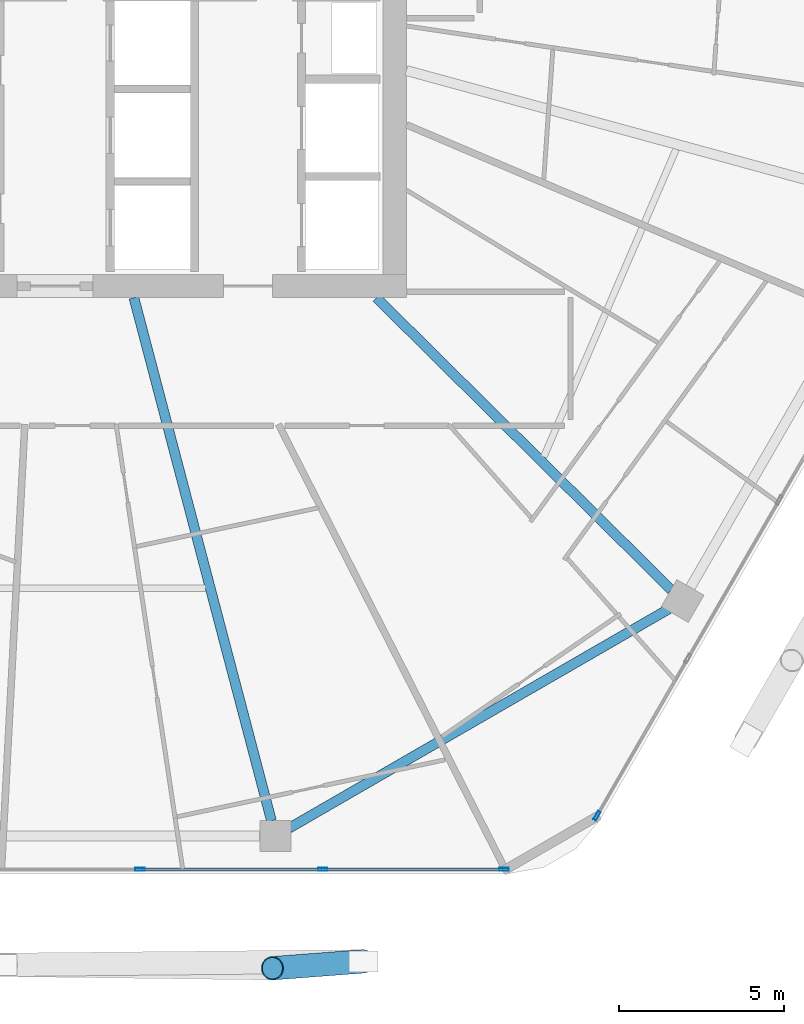
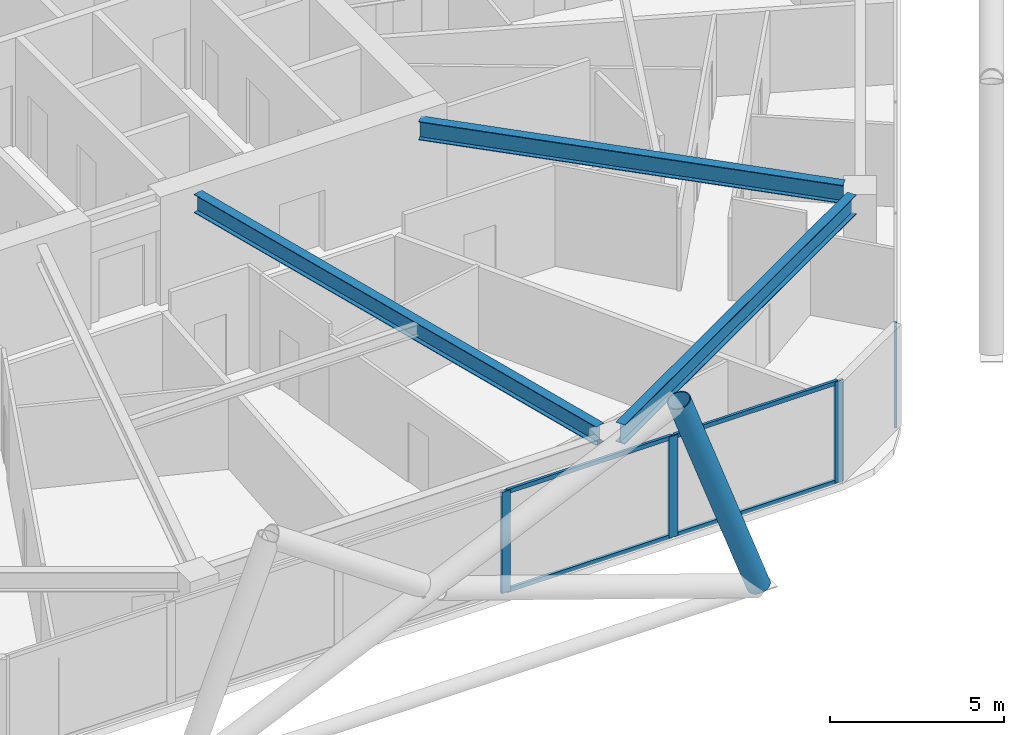
# One storey, part 7 of 29: 9 members, 3 beams, 2 elements without a shape of their own.
"""IFC4 building model written with IfcOpenShell, lengths in metres."""

from ifc_helpers import new_model, si_unit, direction, frame, origin, origin_2d, place, context, subcontext, project, spatial, hollow_rectangle, hollow_circle, i_section, extrude, material, material_profile, profile_set, type_object, element, aggregate, save


model = new_model("IFC4")

# Units and contexts
model_context = context("Model", 3, precision=1e-05, world=origin(), true_north=direction((0.0, 1.0)))
body_context = subcontext(model_context, "Body", "Model", "MODEL_VIEW")
ifc_project = project(units=[si_unit("LENGTHUNIT", "METRE"), si_unit("AREAUNIT", "SQUARE_METRE"), si_unit("VOLUMEUNIT", "CUBIC_METRE"), si_unit("PLANEANGLEUNIT", "RADIAN"), si_unit("MASSUNIT", "GRAM", prefix="KILO")], contexts=[model_context])

# Site, building, storey
site_placement = place(None, origin())
site = spatial("IfcSite", under=ifc_project, at=site_placement, CompositionType="ELEMENT")
building_placement = place(site_placement, origin())
building = spatial("IfcBuilding", under=site, at=building_placement, Name="Zuhravey Tower", CompositionType="ELEMENT")
storey_placement = place(building_placement, frame((0.0, 0.0, 192.199951171875)))
storey = spatial("IfcBuildingStorey", under=building, at=storey_placement, Name="L48", CompositionType="ELEMENT", Elevation=192.199951171875)

# Curtain wall, member
ifc_material_1 = material(Name="Thermally broken anodised aluminium", Category="aluminium")
curtain_wall_type = type_object("IfcCurtainWallType", Name="Zone 1-2 Residential Curtain Wall CW3", PredefinedType="NOTDEFINED", material=ifc_material_1)
curtain_wall_1_placement = place(storey_placement, origin())
curtain_wall_1 = element("IfcCurtainWall", 1, at=curtain_wall_1_placement, inside=storey, type_object=curtain_wall_type, Name="L48 CW3 CW-L48-F6-1", PredefinedType="NOTDEFINED")
ifc_material_2 = material(Name="Anodised aluminium", Category="aluminium")
ifc_material_profile_1 = material_profile(ifc_material_2, hollow_rectangle(XDim=0.090087890625, YDim=0.284912109375, WallThickness=0.0048828125, at=origin_2d()), Name="ALU-RHS-90x285x5")
ifc_profile_set_1 = profile_set([ifc_material_profile_1], Name="Anodised aluminium")
member_type_1 = type_object("IfcMemberType", Name="Curtain-Wall Mullion 90x180", PredefinedType="MULLION", material=ifc_profile_set_1)
member_1_placement = place(storey_placement, frame((52.63330078125, 6.443359375, 0.0), z_axis=(0.0, 0.0, 1.0), x_axis=(0.866025138215, -0.500000459979, 0.0)))
member_1 = element("IfcMember", 2, at=member_1_placement, type_object=member_type_1, Name="CW3 mullion 6", PredefinedType="MULLION", context=body_context, shape_type="SweptSolid", body=[
    extrude(hollow_rectangle(XDim=0.090087890625, YDim=0.284912109375, WallThickness=0.0048828125, at=origin_2d()), origin(), (0.0, 0.0, 1.0), 3.550048828125),
])
aggregate(curtain_wall_1, [member_1])

# Curtain wall, members
curtain_wall_2_placement = place(storey_placement, origin())
curtain_wall_2 = element("IfcCurtainWall", 3, at=curtain_wall_2_placement, inside=storey, type_object=curtain_wall_type, Name="L48 CW3 CW-L48-F5-1", PredefinedType="NOTDEFINED")
member_2_placement = place(storey_placement, frame((49.816162109375, 4.81689453125, 0.0), z_axis=(0.0, 0.0, 1.0), x_axis=(0.0, -1.0, 0.0)))
member_2 = element("IfcMember", 4, at=member_2_placement, type_object=member_type_1, Name="CW3 mullion 1", PredefinedType="MULLION", context=body_context, shape_type="SweptSolid", body=[
    extrude(hollow_rectangle(XDim=0.090087890625, YDim=0.284912109375, WallThickness=0.0048828125, at=origin_2d()), origin(), (0.0, 0.0, 1.0), 3.550048828125),
])
member_3_placement = place(storey_placement, frame((44.316650390625, 4.81689453125, 0.0), z_axis=(0.0, 0.0, 1.0), x_axis=(0.0, -1.0, 0.0)))
member_3 = element("IfcMember", 5, at=member_3_placement, type_object=member_type_1, Name="CW3 mullion 2", PredefinedType="MULLION", context=body_context, shape_type="SweptSolid", body=[
    extrude(hollow_rectangle(XDim=0.090087890625, YDim=0.284912109375, WallThickness=0.0048828125, at=origin_2d()), origin(), (0.0, 0.0, 1.0), 3.550048828125),
])
member_4_placement = place(storey_placement, frame((38.772216796875, 4.81689453125, 0.0), z_axis=(0.0, 0.0, 1.0), x_axis=(0.0, -1.0, 0.0)))
member_4 = element("IfcMember", 6, at=member_4_placement, type_object=member_type_1, Name="CW3 mullion 3", PredefinedType="MULLION", context=body_context, shape_type="SweptSolid", body=[
    extrude(hollow_rectangle(XDim=0.090087890625, YDim=0.284912109375, WallThickness=0.0048828125, at=origin_2d()), origin(), (0.0, 0.0, 1.0), 3.550048828125),
])
ifc_material_profile_2 = material_profile(ifc_material_2, hollow_rectangle(XDim=0.090087890625, YDim=0.14990234375, WallThickness=0.0048828125, at=origin_2d()), Name="ALU-RHS-90x150x5")
ifc_profile_set_2 = profile_set([ifc_material_profile_2], Name="Anodised aluminium")
member_type_2 = type_object("IfcMemberType", Name="Curtain-Wall Transom 90x150", PredefinedType="USERDEFINED", material=ifc_profile_set_2)
member_5_placement = place(storey_placement, frame((49.77099609375, 4.81689453125, 0.045166015625), z_axis=(-1.0, 0.0, 0.0), x_axis=(0.0, -1.0, 0.0)))
member_5 = element("IfcMember", 7, at=member_5_placement, type_object=member_type_2, Name="CW3 transom 1.1", ObjectType="TRANSOM", PredefinedType="USERDEFINED", context=body_context, shape_type="SweptSolid", body=[
    extrude(hollow_rectangle(XDim=0.090087890625, YDim=0.14990234375, WallThickness=0.0048828125, at=origin_2d()), origin(), (0.0, 0.0, 1.0), 5.409423828125),
])
member_6_placement = place(storey_placement, frame((49.77099609375, 4.81689453125, 3.505126953125), z_axis=(-1.0, 0.0, 0.0), x_axis=(0.0, -1.0, 0.0)))
member_6 = element("IfcMember", 8, at=member_6_placement, type_object=member_type_2, Name="CW3 transom 1.2", ObjectType="TRANSOM", PredefinedType="USERDEFINED", context=body_context, shape_type="SweptSolid", body=[
    extrude(hollow_rectangle(XDim=0.090087890625, YDim=0.14990234375, WallThickness=0.0048828125, at=origin_2d()), origin(), (0.0, 0.0, 1.0), 5.409423828125),
])
member_7_placement = place(storey_placement, frame((44.271728515625, 4.81689453125, 0.045166015625), z_axis=(-1.0, 0.0, 0.0), x_axis=(0.0, -1.0, 0.0)))
member_7 = element("IfcMember", 9, at=member_7_placement, type_object=member_type_2, Name="CW3 transom 2.1", ObjectType="TRANSOM", PredefinedType="USERDEFINED", context=body_context, shape_type="SweptSolid", body=[
    extrude(hollow_rectangle(XDim=0.090087890625, YDim=0.14990234375, WallThickness=0.0048828125, at=origin_2d()), origin(), (0.0, 0.0, 1.0), 5.45458984375),
])
member_8_placement = place(storey_placement, frame((44.271728515625, 4.81689453125, 3.505126953125), z_axis=(-1.0, 0.0, 0.0), x_axis=(0.0, -1.0, 0.0)))
member_8 = element("IfcMember", 10, at=member_8_placement, type_object=member_type_2, Name="CW3 transom 2.2", ObjectType="TRANSOM", PredefinedType="USERDEFINED", context=body_context, shape_type="SweptSolid", body=[
    extrude(hollow_rectangle(XDim=0.090087890625, YDim=0.14990234375, WallThickness=0.0048828125, at=origin_2d()), origin(), (0.0, 0.0, 1.0), 5.45458984375),
])
aggregate(curtain_wall_2, [member_2, member_3, member_4, member_5, member_6, member_7, member_8])

# Member
ifc_material_3 = material(Name="Steel SM460", Category="steel")
ifc_material_profile_3 = material_profile(ifc_material_3, hollow_circle(Radius=0.355712890625, WallThickness=0.031982421875, at=origin_2d()), Name="CHS-711.2x32")
ifc_profile_set_3 = profile_set([ifc_material_profile_3], Name="Steel SM460")
member_type_3 = type_object("IfcMemberType", Name="Exoskeleton Zone 2 Diagrid CHS711x32", PredefinedType="BRACE", material=ifc_profile_set_3)
member_9_placement = place(storey_placement, frame((45.547607421875, 2.0263671875, -0.44384765625), z_axis=(-0.34275261407, -0.025959674185, 0.93906695228), x_axis=(0.075522504646, -0.997144097557, 0.0)))
element("IfcMember", 11, at=member_9_placement, inside=storey, type_object=member_type_3, Name="L48 Face 5 Diagrid Brace 4", PredefinedType="BRACE", context=body_context, shape_type="SweptSolid", body=[
    extrude(hollow_circle(Radius=0.355712890625, WallThickness=0.031982421875, at=origin_2d()), origin(), (0.0, 0.0, 1.0), 8.05029296875),
])

# Beams
ifc_material_4 = material(Name="Steel SM355", Category="steel")
ifc_material_profile_4 = material_profile(ifc_material_4, i_section(OverallWidth=0.300048828125, OverallDepth=0.679931640625, WebThickness=0.012939453125, FlangeThickness=0.02197265625, at=origin_2d()), Name="H-680x300x13x22")
ifc_profile_set_4 = profile_set([ifc_material_profile_4], Name="Steel SM355")
beam_type_1 = type_object("IfcBeamType", Name="Perimeter Ring Beam H680x300", PredefinedType="BEAM", material=ifc_profile_set_4)
beam_1_placement = place(storey_placement, frame((43.2958984375, 6.06591796875, 3.2099609375), z_axis=(0.866029041019, 0.499993700073, 0.0), x_axis=(-0.499993700073, 0.866029041019, 0.0)))
element("IfcBeam", 12, at=beam_1_placement, inside=storey, type_object=beam_type_1, Name="L48 PB2 BM-L48-PB-10", PredefinedType="BEAM", context=body_context, shape_type="SweptSolid", body=[
    extrude(i_section(OverallWidth=0.300048828125, OverallDepth=0.679931640625, WebThickness=0.012939453125, FlangeThickness=0.02197265625, at=origin_2d()), origin(), (0.0, 0.0, 1.0), 13.297119140625),
])
ifc_material_profile_5 = material_profile(ifc_material_4, i_section(OverallWidth=0.300048828125, OverallDepth=0.64990234375, WebThickness=0.012939453125, FlangeThickness=0.02197265625, at=origin_2d()), Name="H-650x300x13x22")
ifc_profile_set_5 = profile_set([ifc_material_profile_5], Name="Steel SM355")
beam_type_2 = type_object("IfcBeamType", Name="Radial Primary Girder H650x300", PredefinedType="BEAM", material=ifc_profile_set_5)
beam_2_placement = place(storey_placement, frame((38.5908203125, 22.14697265625, 3.22509765625), z_axis=(0.254299806285, -0.967125435775, 0.0), x_axis=(0.967125435775, 0.254299806285, 0.0)))
element("IfcBeam", 13, at=beam_2_placement, inside=storey, type_object=beam_type_2, Name="L48 RG2 BM-L48-RAD-10", PredefinedType="BEAM", context=body_context, shape_type="SweptSolid", body=[
    extrude(i_section(OverallWidth=0.300048828125, OverallDepth=0.64990234375, WebThickness=0.012939453125, FlangeThickness=0.02197265625, at=origin_2d()), origin(), (0.0, 0.0, 1.0), 16.396728515625),
])
beam_3_placement = place(storey_placement, frame((45.945556640625, 22.14697265625, 3.22509765625), z_axis=(0.710406645816, -0.703791444663, 0.0), x_axis=(0.703791444663, 0.710406645816, 0.0)))
element("IfcBeam", 14, at=beam_3_placement, inside=storey, type_object=beam_type_2, Name="L48 RG2 BM-L48-RAD-11", PredefinedType="BEAM", context=body_context, shape_type="SweptSolid", body=[
    extrude(i_section(OverallWidth=0.300048828125, OverallDepth=0.64990234375, WebThickness=0.012939453125, FlangeThickness=0.02197265625, at=origin_2d()), origin(), (0.0, 0.0, 1.0), 12.5849609375),
])

save(model, "model.ifc")
